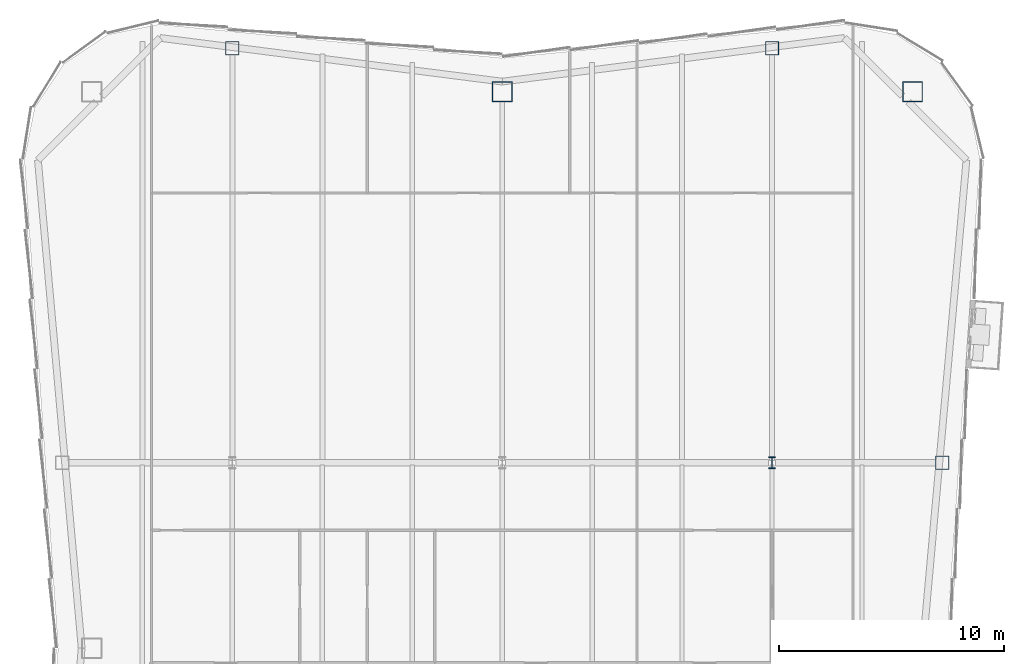
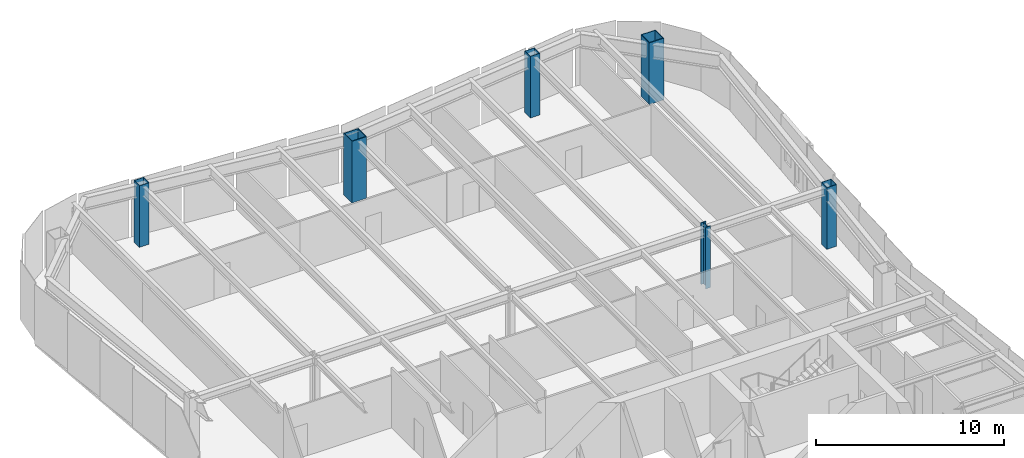
# One storey, part 2 of 10: 6 columns.
"""IFC4 building model written with IfcOpenShell, lengths in metres."""

import ifcopenshell
import ifcopenshell.guid

model = None  # the IFC model being written
_history = None  # IfcOwnerHistory: only IFC2X3 demands one
_inside = {}  # id of a spatial element -> (the spatial element, [elements in it])
_under = {}  # id of a project, library or spatial element -> (it, [spatial elements below it])
_declared = {}  # id of a project -> (the project, [libraries it declares])
_typed = {}  # id of a type object -> (the type object, [elements of that type])
_made_of = {}  # id of a material, layer set ... -> (it, [elements and type objects made of it])


def new_model(schema):
    """Start an empty IFC model of exactly this schema.

    Asked for "IFC4X3", IfcOpenShell would pick the latest addendum, in which some entities
    have other attributes; the version numbers below select the first issue.
    IFC2X3 requires an IfcOwnerHistory on every rooted entity: one is made here for all.
    """
    global model, _history
    if schema == "IFC4X3":
        model = ifcopenshell.file(schema_version=(4, 3, 0, 0))
    else:
        model = ifcopenshell.file(schema=schema)
    _inside.clear()
    _under.clear()
    _declared.clear()
    _typed.clear()
    _made_of.clear()
    _history = None
    if model.schema == "IFC2X3":
        org = make("IfcOrganization", Name="unknown")
        user = make(
            "IfcPersonAndOrganization",
            ThePerson=make("IfcPerson", FamilyName="unknown"),
            TheOrganization=org,
        )
        app = make(
            "IfcApplication",
            ApplicationDeveloper=org,
            Version="unknown",
            ApplicationFullName="unknown",
            ApplicationIdentifier="unknown",
        )
        _history = make(
            "IfcOwnerHistory",
            OwningUser=user,
            OwningApplication=app,
            ChangeAction="ADDED",
            CreationDate=0,
        )
    return model


def make(cls, **values):
    """One entity of the class cls with the attributes given. An attribute that is None is left unset."""
    return model.create_entity(
        cls, **{name: value for name, value in values.items() if value is not None}
    )


def rooted(cls, **values):
    """An entity with a GlobalId (a new one), such as an element, a storey or a relation."""
    return make(cls, GlobalId=ifcopenshell.guid.new(), OwnerHistory=_history, **values)


def si_unit(unit_type, name, prefix=None):
    """IfcSIUnit, for example si_unit("LENGTHUNIT", "METRE", prefix="MILLI")."""
    return make("IfcSIUnit", UnitType=unit_type, Prefix=prefix, Name=name)


def assignment(units):
    """IfcUnitAssignment: the units of a project."""
    return None if units is None else make("IfcUnitAssignment", Units=units)


def point(xyz):
    """IfcCartesianPoint."""
    return None if xyz is None else make("IfcCartesianPoint", Coordinates=xyz)


def direction(xyz):
    """IfcDirection."""
    return None if xyz is None else make("IfcDirection", DirectionRatios=xyz)


def frame(location, z_axis=None, x_axis=None):
    """IfcAxis2Placement3D, a coordinate frame: its origin and axes. An axis left out is left unset."""
    return make(
        "IfcAxis2Placement3D",
        Location=point(location),
        Axis=direction(z_axis),
        RefDirection=direction(x_axis),
    )


def frame_2d(location, x_axis=None):
    """IfcAxis2Placement2D, a coordinate frame in the plane: its origin and x axis."""
    return make(
        "IfcAxis2Placement2D", Location=point(location), RefDirection=direction(x_axis)
    )


def origin():
    """The frame at (0, 0, 0) with its axes left unset."""
    return frame((0.0, 0.0, 0.0))


def origin_2d():
    """The frame at (0, 0) in the plane with its x axis left unset."""
    return frame_2d((0.0, 0.0))


def place(relative_to, where):
    """IfcLocalPlacement: puts the frame where relative to a parent placement (None: the world)."""
    return make(
        "IfcLocalPlacement", PlacementRelTo=relative_to, RelativePlacement=where
    )


def context(
    kind, dimensions, precision=None, world=None, true_north=None, identifier=None
):
    """IfcGeometricRepresentationContext, for example the 3D "Model" context."""
    return make(
        "IfcGeometricRepresentationContext",
        ContextIdentifier=identifier,
        ContextType=kind,
        CoordinateSpaceDimension=dimensions,
        Precision=precision,
        WorldCoordinateSystem=world,
        TrueNorth=true_north,
    )


def subcontext(parent, identifier, kind, view, scale=None):
    """IfcGeometricRepresentationSubContext, for example "Body" below "Model"."""
    return make(
        "IfcGeometricRepresentationSubContext",
        ContextIdentifier=identifier,
        ContextType=kind,
        ParentContext=parent,
        TargetScale=scale,
        TargetView=view,
    )


def project(units=None, contexts=None):
    """IfcProject with its units and contexts."""
    return rooted(
        "IfcProject",
        Name="project",
        RepresentationContexts=contexts,
        UnitsInContext=assignment(units),
    )


def spatial(cls, under=None, at=None, **own):
    """A site, building, storey or space (cls), placed at a placement, below another one or the project."""
    s = rooted(cls, ObjectPlacement=at, **own)
    if under is not None:
        _under.setdefault(under.id(), (under, []))[1].append(s)
    return s


def profile(cls, at=None, kind="AREA", **sizes):
    """A parametric profile (cls). Its sizes go by their IFC names, for example OverallWidth=200.0."""
    return make(cls, ProfileType=kind, Position=at, **sizes)


def hollow_rectangle(**sizes):
    """IfcRectangleHollowProfileDef."""
    return profile("IfcRectangleHollowProfileDef", **sizes)


def i_section(**sizes):
    """IfcIShapeProfileDef."""
    return profile("IfcIShapeProfileDef", **sizes)


def extrude(swept, where, along, depth):
    """IfcExtrudedAreaSolid: the profile swept, set in the frame where, extruded along a direction by depth."""
    return make(
        "IfcExtrudedAreaSolid",
        SweptArea=swept,
        Position=where,
        ExtrudedDirection=direction(along),
        Depth=depth,
    )


def shape(context_of_items, identifier, shape_type, items):
    """IfcShapeRepresentation: the items that make up one representation, for example the "Body"."""
    return make(
        "IfcShapeRepresentation",
        ContextOfItems=context_of_items,
        RepresentationIdentifier=identifier,
        RepresentationType=shape_type,
        Items=items,
    )


def material(Name=None, Category=None):
    """IfcMaterial."""
    return make("IfcMaterial", Name=Name, Category=Category)


def material_profile(
    of_material, cross_section, Name=None, Category=None, Priority=None
):
    """IfcMaterialProfile: a cross section and its material."""
    return make(
        "IfcMaterialProfile",
        Name=Name,
        Material=of_material,
        Profile=cross_section,
        Priority=Priority,
        Category=Category,
    )


def profile_set(profiles, Name=None, composite=None):
    """IfcMaterialProfileSet."""
    return make(
        "IfcMaterialProfileSet",
        Name=Name,
        MaterialProfiles=profiles,
        CompositeProfile=composite,
    )


def made_of(thing, what):
    """Note that an element or type object is made of a material, layer set ...; save() writes the relation."""
    if what is not None:
        _made_of.setdefault(what.id(), (what, []))[1].append(thing)
    return thing


def type_object(cls, material=None, **own):
    """A type object (cls), such as IfcWallType, which elements share."""
    return made_of(rooted(cls, **own), material)


def element(
    cls,
    number,
    at=None,
    inside=None,
    cuts=None,
    type_object=None,
    material=None,
    context=None,
    identifier="Body",
    shape_type=None,
    held_by="IfcProductDefinitionShape",
    body=None,
    shapes=None,
    **own,
):
    """One element of the class cls, such as IfcWall. Its Tag is "e" and its number.

    at: its placement. inside: the storey or other place that contains it. cuts: it is an
    opening in that element (IfcRelVoidsElement). A single representation is given by context,
    identifier, shape_type and body (its items); several are given by shapes. held_by: the class
    of the entity that holds the representations. save() writes the other relations.
    """
    e = rooted(cls, Tag="e%d" % number, ObjectPlacement=at, **own)
    if body is not None:
        shapes = [shape(context, identifier, shape_type, body)]
    if shapes is not None:
        e.Representation = make(held_by, Representations=shapes)
    if inside is not None:
        _inside.setdefault(inside.id(), (inside, []))[1].append(e)
    if cuts is not None:
        rooted(
            "IfcRelVoidsElement", RelatingBuildingElement=cuts, RelatedOpeningElement=e
        )
    if type_object is not None:
        _typed.setdefault(type_object.id(), (type_object, []))[1].append(e)
    return made_of(e, material)


def aggregate(whole, parts):
    """IfcRelAggregates: a whole, such as a stair, and the parts it consists of."""
    return rooted("IfcRelAggregates", RelatingObject=whole, RelatedObjects=parts)


def save(model, path):
    """Write the relations noted so far, then the file.

    IfcRelAggregates (storeys below a building ...), IfcRelContainedInSpatialStructure (elements
    in a storey), IfcRelDefinesByType, IfcRelAssociatesMaterial and IfcRelDeclares: one each for
    every whole, place, type object, material and project.
    """
    for whole, parts in _under.values():
        aggregate(whole, parts)
    for where, things in _inside.values():
        rooted(
            "IfcRelContainedInSpatialStructure",
            RelatedElements=things,
            RelatingStructure=where,
        )
    for kind, things in _typed.values():
        rooted("IfcRelDefinesByType", RelatedObjects=things, RelatingType=kind)
    for what, things in _made_of.values():
        rooted("IfcRelAssociatesMaterial", RelatedObjects=things, RelatingMaterial=what)
    for by, libraries in _declared.values():
        rooted("IfcRelDeclares", RelatingContext=by, RelatedDefinitions=libraries)
    model.write(path)


model = new_model("IFC4")

# Units and contexts
model_context = context("Model", 3, precision=1e-05, world=origin(), true_north=direction((0.0, 1.0)))
body_context = subcontext(model_context, "Body", "Model", "MODEL_VIEW")
ifc_project = project(units=[si_unit("LENGTHUNIT", "METRE"), si_unit("AREAUNIT", "SQUARE_METRE"), si_unit("VOLUMEUNIT", "CUBIC_METRE"), si_unit("PLANEANGLEUNIT", "RADIAN"), si_unit("MASSUNIT", "GRAM", prefix="KILO")], contexts=[model_context])

# Site, building, storey
site_placement = place(None, origin())
site = spatial("IfcSite", under=ifc_project, at=site_placement, CompositionType="ELEMENT")
building_placement = place(site_placement, origin())
building = spatial("IfcBuilding", under=site, at=building_placement, Name="Verdant Reach Tower", CompositionType="ELEMENT")
storey_placement = place(building_placement, frame((0.0, 0.0, 310.0)))
storey = spatial("IfcBuildingStorey", under=building, at=storey_placement, Name="L71", CompositionType="ELEMENT", Elevation=310.0)

# Columns
ifc_material = material(Name="Steel S460", Category="steel")
ifc_material_profile_1 = material_profile(ifc_material, i_section(OverallWidth=0.305908203125, OverallDepth=0.52392578125, WebThickness=0.012451171875, FlangeThickness=0.0400390625, FilletRadius=0.027099609375, at=origin_2d()), Name="HEM 500")
ifc_profile_set_1 = profile_set([ifc_material_profile_1], Name="Steel S460")
column_type_1 = type_object("IfcColumnType", Name="ST-COL-HEM500", PredefinedType="COLUMN", material=ifc_profile_set_1)
column_placement = place(storey_placement, frame((12.0, 49.5, 0.0), z_axis=(0.0, 0.0, 1.0), x_axis=(1.0, 0.0, 0.0)))
element("IfcColumn", 1, at=column_placement, inside=storey, type_object=column_type_1, Name="Interior column 3, L71", PredefinedType="COLUMN", context=body_context, shape_type="SweptSolid", body=[
    extrude(i_section(OverallWidth=0.305908203125, OverallDepth=0.52392578125, WebThickness=0.012451171875, FlangeThickness=0.0400390625, FilletRadius=0.027099609375, at=origin_2d()), origin(), (0.0, 0.0, 1.0), 4.0),
])
ifc_material_profile_2 = material_profile(ifc_material, hollow_rectangle(XDim=0.60009765625, YDim=0.60009765625, WallThickness=0.02490234375, at=origin_2d()), Name="WB 600x600x25")
ifc_profile_set_2 = profile_set([ifc_material_profile_2], Name="Steel S460")
column_type_2 = type_object("IfcColumnType", Name="ST-COL-WB600x600x25", PredefinedType="COLUMN", material=ifc_profile_set_2)
for number, where, z_axis, x_axis, name in (
    (2, (-12.0, 67.930419921875, 0.0), (0.0, 0.0, 1.0), (1.0, 0.0, 0.0), "Perimeter column north 1, L71"),
    (3, (12.0, 67.930419921875, 0.0), (0.0, 0.0, 1.0), (1.0, 0.0, 0.0), "Perimeter column north 2, L71"),
    (4, (19.569091796875, 49.5, 0.0), (0.0, 0.0, 1.0), (1.0, 0.0, 0.0), "Perimeter column east 2, L71"),
):
    element("IfcColumn", number, at=place(storey_placement, frame(where, z_axis=z_axis, x_axis=x_axis)), inside=storey, type_object=column_type_2, Name=name, PredefinedType="COLUMN", context=body_context, shape_type="SweptSolid", body=[
        extrude(hollow_rectangle(XDim=0.60009765625, YDim=0.60009765625, WallThickness=0.02490234375, at=origin_2d()), origin(), (0.0, 0.0, 1.0), 4.0),
    ])
ifc_material_profile_3 = material_profile(ifc_material, hollow_rectangle(XDim=0.89990234375, YDim=0.89990234375, WallThickness=0.0400390625, at=origin_2d()), Name="WB 900x900x40")
ifc_profile_set_3 = profile_set([ifc_material_profile_3], Name="Steel S460")
column_type_3 = type_object("IfcColumnType", Name="ST-COL-WB900x900x40", PredefinedType="COLUMN", material=ifc_profile_set_3)
for number, where, z_axis, x_axis, name in (
    (5, (0.0, 66.0, 0.0), (0.0, 0.0, 1.0), (1.0, 0.0, 0.0), "Mega column north, L71"),
    (6, (18.25, 66.0, 0.0), (0.0, 0.0, 1.0), (1.0, 0.0, 0.0), "Mega column north-east, L71"),
):
    element("IfcColumn", number, at=place(storey_placement, frame(where, z_axis=z_axis, x_axis=x_axis)), inside=storey, type_object=column_type_3, Name=name, PredefinedType="COLUMN", context=body_context, shape_type="SweptSolid", body=[
        extrude(hollow_rectangle(XDim=0.89990234375, YDim=0.89990234375, WallThickness=0.0400390625, at=origin_2d()), origin(), (0.0, 0.0, 1.0), 4.0),
    ])

save(model, "model.ifc")
